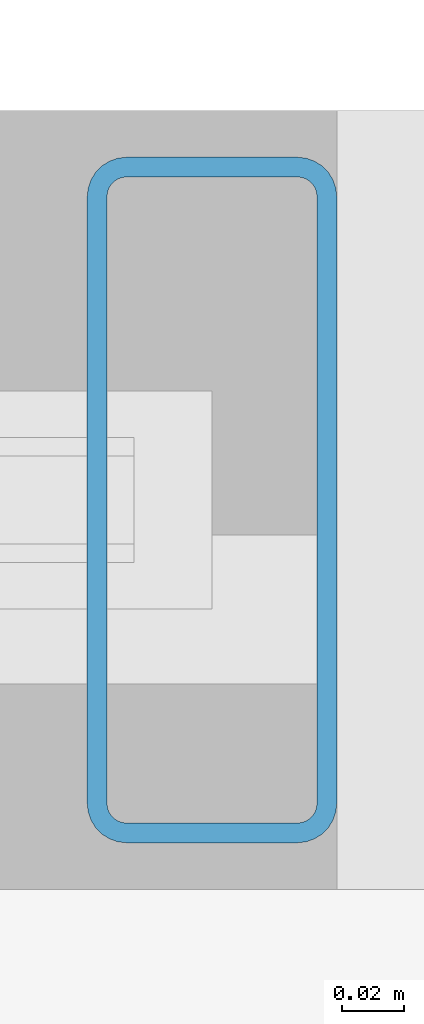
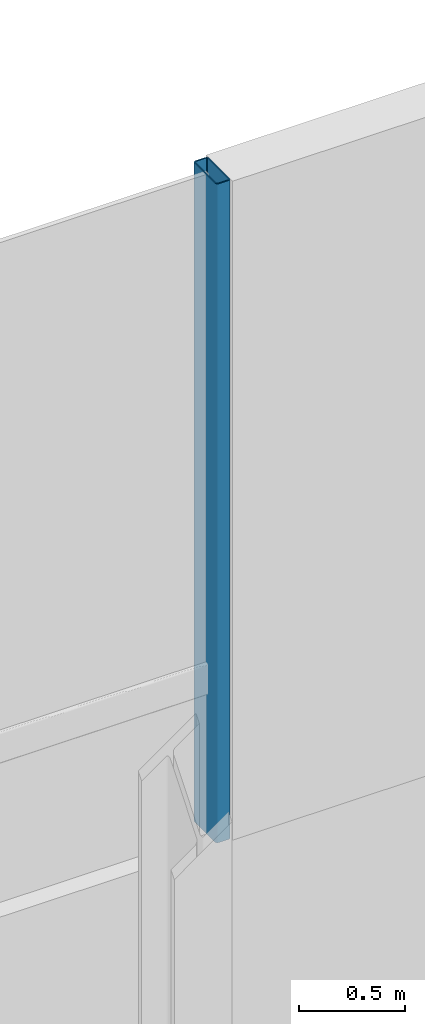
# One storey, part 17 of 42: 1 member, 1 element without a shape of its own.
"""IFC4 building model written with IfcOpenShell, lengths in metres."""

from ifc_helpers import new_model, si_unit, direction, frame, origin, origin_2d, place, context, subcontext, project, spatial, hollow_rectangle, extrude, material, layer, layer_set, material_profile, profile_set, type_object, element, aggregate, save


model = new_model("IFC4")

# Units and contexts
model_context = context("Model", 3, precision=1e-05, world=origin(), true_north=direction((0.0, 1.0)))
body_context = subcontext(model_context, "Body", "Model", "MODEL_VIEW")
ifc_project = project(units=[si_unit("LENGTHUNIT", "METRE"), si_unit("AREAUNIT", "SQUARE_METRE"), si_unit("VOLUMEUNIT", "CUBIC_METRE"), si_unit("PLANEANGLEUNIT", "RADIAN"), si_unit("MASSUNIT", "GRAM", prefix="KILO")], contexts=[model_context])

# Site, building, storey
site_placement = place(None, origin())
site = spatial("IfcSite", under=ifc_project, at=site_placement, CompositionType="ELEMENT")
building_placement = place(site_placement, origin())
building = spatial("IfcBuilding", under=site, at=building_placement, Name="Korimba Cascade Residences", CompositionType="ELEMENT")
storey_placement = place(building_placement, frame((0.0, 0.0, 207.60009765625)))
storey = spatial("IfcBuildingStorey", under=building, at=storey_placement, Name="L60", CompositionType="ELEMENT", Elevation=207.60009765625)

# Curtain wall, member
ifc_material_1 = material(Name="Anodised Aluminium Curtain Wall Framing", Category="aluminium")
ifc_layer = layer(ifc_material_1, 0.179931640625)
ifc_layer_set = layer_set([ifc_layer], Name="Anodised Aluminium Curtain Wall Framing")
curtain_wall_type = type_object("IfcCurtainWallType", Name="CW-CRNE-SYS6", PredefinedType="NOTDEFINED", material=ifc_layer_set)
curtain_wall_placement = place(storey_placement, origin())
curtain_wall = element("IfcCurtainWall", 1, at=curtain_wall_placement, inside=storey, type_object=curtain_wall_type, Name="L60 Curtain Wall CW-L60-CRN-W-2", PredefinedType="NOTDEFINED")
ifc_material_2 = material(Name="Anodised Aluminium Mullion", Category="aluminium")
ifc_material_profile = material_profile(ifc_material_2, hollow_rectangle(XDim=0.080078125, YDim=0.219970703125, WallThickness=0.00634765625, InnerFilletRadius=0.00634765625, OuterFilletRadius=0.0126953125, at=origin_2d()), Name="Anodised Aluminium Mullion")
ifc_profile_set = profile_set([ifc_material_profile], Name="Anodised Aluminium Mullion")
member_type = type_object("IfcMemberType", Name="CWM-MUL-220", PredefinedType="MULLION", material=ifc_profile_set)
member_placement = place(storey_placement, frame((92.56005859375, 32.675048828125, 5.849853515625), z_axis=(0.0, 0.0, 1.0), x_axis=(1.0, 0.0, 0.0)))
member = element("IfcMember", 2, at=member_placement, type_object=member_type, Name="CW-L60-CRN-W-2 Mullion 4", PredefinedType="MULLION", context=body_context, shape_type="SweptSolid", body=[
    extrude(hollow_rectangle(XDim=0.080078125, YDim=0.219970703125, WallThickness=0.00634765625, InnerFilletRadius=0.00634765625, OuterFilletRadius=0.0126953125, at=origin_2d()), origin(), (0.0, 0.0, 1.0), 3.800048828125),
])
aggregate(curtain_wall, [member])

save(model, "model.ifc")
